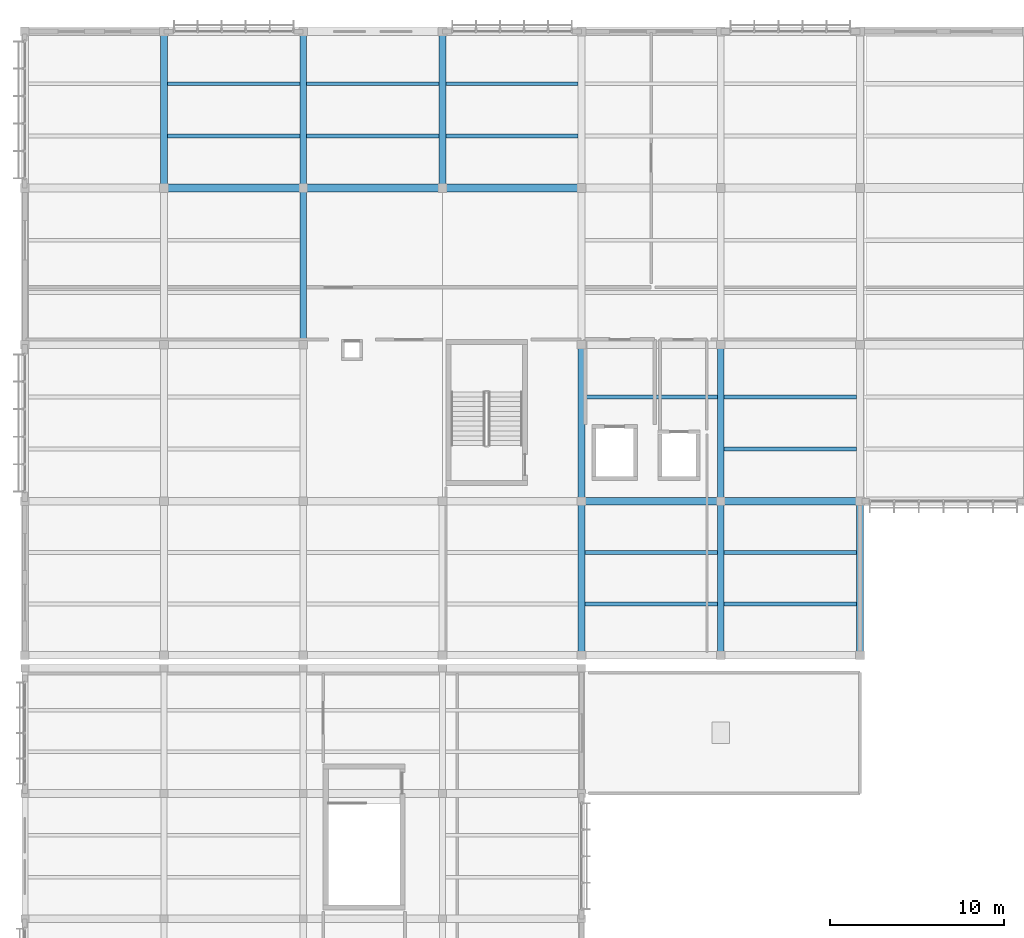
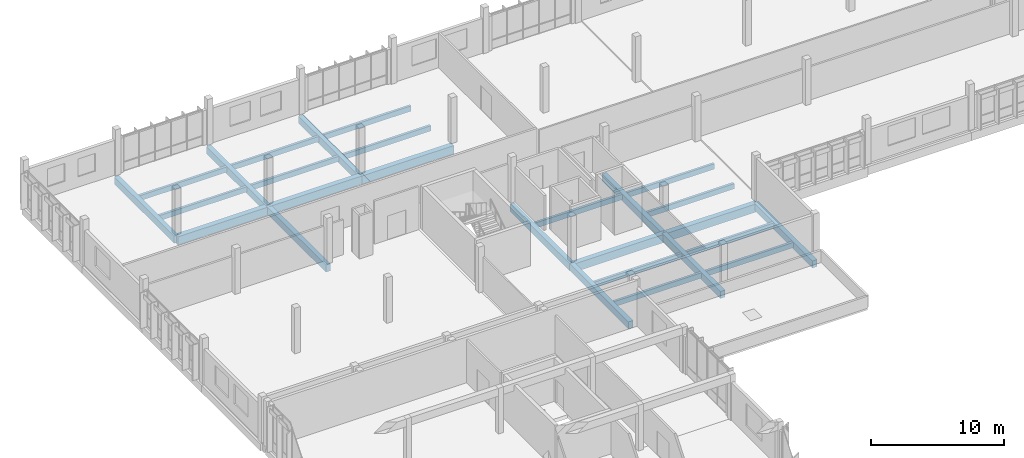
# One storey, part 38 of 107: 27 beams.
"""IFC4 building model written with IfcOpenShell, lengths in metres."""

from ifc_helpers import new_model, si_unit, direction, frame, origin, origin_2d, place, context, subcontext, project, spatial, rectangle, extrude, material, material_profile, profile_set, type_object, element, save


model = new_model("IFC4")

# Units and contexts
model_context = context("Model", 3, precision=1e-05, world=origin(), true_north=direction((0.0, 1.0)))
body_context = subcontext(model_context, "Body", "Model", "MODEL_VIEW")
ifc_project = project(units=[si_unit("LENGTHUNIT", "METRE"), si_unit("AREAUNIT", "SQUARE_METRE"), si_unit("VOLUMEUNIT", "CUBIC_METRE"), si_unit("PLANEANGLEUNIT", "RADIAN"), si_unit("MASSUNIT", "GRAM", prefix="KILO")], contexts=[model_context])

# Site, building, storey
site_placement = place(None, origin())
site = spatial("IfcSite", under=ifc_project, at=site_placement, CompositionType="ELEMENT")
building_placement = place(site_placement, origin())
building = spatial("IfcBuilding", under=site, at=building_placement, Name="Chiffa Square Polytechnic", CompositionType="ELEMENT")
storey_placement = place(building_placement, frame((0.0, 0.0, 13.800048828125)))
storey = spatial("IfcBuildingStorey", under=building, at=storey_placement, Name="L03", CompositionType="ELEMENT", Elevation=13.800048828125)

# Beams
ifc_material_1 = material(Name="Concrete C35/45", Category="concrete")
ifc_material_profile_1 = material_profile(ifc_material_1, rectangle(XDim=0.39990234375, YDim=0.64990234375, at=origin_2d()), Name="RC 400x650")
ifc_profile_set_1 = profile_set([ifc_material_profile_1], Name="Concrete C35/45")
beam_type_1 = type_object("IfcBeamType", Name="BM-RC-400X650", PredefinedType="BEAM", material=ifc_profile_set_1)
for number, where, z_axis, x_axis, name in (
    (1, (8.0, 121.800048828125, -0.5849609375), (0.0, 1.0, 0.0), (-1.0, 0.0, 0.0), "Primary floor girder BM-V5-L03-Y-0080-1218"),
    (2, (16.0, 112.800048828125, -0.5849609375), (0.0, 1.0, 0.0), (-1.0, 0.0, 0.0), "Primary floor girder BM-V5-L03-Y-0160-1128"),
    (3, (16.0, 121.800048828125, -0.5849609375), (0.0, 1.0, 0.0), (-1.0, 0.0, 0.0), "Primary floor girder BM-V5-L03-Y-0160-1218"),
    (4, (24.0, 121.800048828125, -0.5849609375), (0.0, 1.0, 0.0), (-1.0, 0.0, 0.0), "Primary floor girder BM-V5-L03-Y-0240-1218"),
):
    element("IfcBeam", number, at=place(storey_placement, frame(where, z_axis=z_axis, x_axis=x_axis)), inside=storey, type_object=beam_type_1, Name=name, PredefinedType="BEAM", context=body_context, shape_type="SweptSolid", body=[
        extrude(rectangle(XDim=0.39990234375, YDim=0.64990234375, at=origin_2d()), origin(), (0.0, 0.0, 1.0), 9.0),
    ])
beam_1_placement = place(storey_placement, frame((32.0, 94.949951171875, -0.5849609375), z_axis=(0.0, 1.0, 0.0), x_axis=(-1.0, 0.0, 0.0)))
element("IfcBeam", 5, at=beam_1_placement, inside=storey, type_object=beam_type_1, Name="Primary floor girder BM-V5-L03-Y-0320-0950", PredefinedType="BEAM", context=body_context, shape_type="SweptSolid", body=[
    extrude(rectangle(XDim=0.39990234375, YDim=0.64990234375, at=origin_2d()), origin(), (0.0, 0.0, 1.0), 8.85009765625),
])
beam_2_placement = place(storey_placement, frame((32.0, 103.800048828125, -0.5849609375), z_axis=(0.0, 1.0, 0.0), x_axis=(-1.0, 0.0, 0.0)))
element("IfcBeam", 6, at=beam_2_placement, inside=storey, type_object=beam_type_1, Name="Primary floor girder BM-V5-L03-Y-0320-1038", PredefinedType="BEAM", context=body_context, shape_type="SweptSolid", body=[
    extrude(rectangle(XDim=0.39990234375, YDim=0.64990234375, at=origin_2d()), origin(), (0.0, 0.0, 1.0), 9.0),
])
beam_3_placement = place(storey_placement, frame((40.0, 94.949951171875, -0.5849609375), z_axis=(0.0, 1.0, 0.0), x_axis=(-1.0, 0.0, 0.0)))
element("IfcBeam", 7, at=beam_3_placement, inside=storey, type_object=beam_type_1, Name="Primary floor girder BM-V5-L03-Y-0400-0950", PredefinedType="BEAM", context=body_context, shape_type="SweptSolid", body=[
    extrude(rectangle(XDim=0.39990234375, YDim=0.64990234375, at=origin_2d()), origin(), (0.0, 0.0, 1.0), 8.85009765625),
])
beam_4_placement = place(storey_placement, frame((40.0, 103.800048828125, -0.5849609375), z_axis=(0.0, 1.0, 0.0), x_axis=(-1.0, 0.0, 0.0)))
element("IfcBeam", 8, at=beam_4_placement, inside=storey, type_object=beam_type_1, Name="Primary floor girder BM-V5-L03-Y-0400-1038", PredefinedType="BEAM", context=body_context, shape_type="SweptSolid", body=[
    extrude(rectangle(XDim=0.39990234375, YDim=0.64990234375, at=origin_2d()), origin(), (0.0, 0.0, 1.0), 9.0),
])
beam_5_placement = place(storey_placement, frame((48.0, 94.949951171875, -0.5849609375), z_axis=(0.0, 1.0, 0.0), x_axis=(-1.0, 0.0, 0.0)))
element("IfcBeam", 9, at=beam_5_placement, inside=storey, type_object=beam_type_1, Name="Primary floor girder BM-V5-L03-Y-0480-0950", PredefinedType="BEAM", context=body_context, shape_type="SweptSolid", body=[
    extrude(rectangle(XDim=0.39990234375, YDim=0.64990234375, at=origin_2d()), origin(), (0.0, 0.0, 1.0), 8.85009765625),
])
ifc_material_profile_2 = material_profile(ifc_material_1, rectangle(XDim=0.449951171875, YDim=0.75, at=origin_2d()), Name="RC 450x750")
ifc_profile_set_2 = profile_set([ifc_material_profile_2], Name="Concrete C35/45")
beam_type_2 = type_object("IfcBeamType", Name="BM-RC-450X750", PredefinedType="BEAM", material=ifc_profile_set_2)
for number, where, z_axis, x_axis, name in (
    (10, (32.0, 103.800048828125, -0.635009765625), (1.0, 0.0, 0.0), (0.0, 1.0, 0.0), "Primary floor girder BM-V5-L03-X-0320-1038"),
    (11, (40.0, 103.800048828125, -0.635009765625), (1.0, 0.0, 0.0), (0.0, 1.0, 0.0), "Primary floor girder BM-V5-L03-X-0400-1038"),
    (12, (8.0, 121.800048828125, -0.635009765625), (1.0, 0.0, 0.0), (0.0, 1.0, 0.0), "Primary floor girder BM-V5-L03-X-0080-1218"),
    (13, (16.0, 121.800048828125, -0.635009765625), (1.0, 0.0, 0.0), (0.0, 1.0, 0.0), "Primary floor girder BM-V5-L03-X-0160-1218"),
    (14, (24.0, 121.800048828125, -0.635009765625), (1.0, 0.0, 0.0), (0.0, 1.0, 0.0), "Primary floor girder BM-V5-L03-X-0240-1218"),
):
    element("IfcBeam", number, at=place(storey_placement, frame(where, z_axis=z_axis, x_axis=x_axis)), inside=storey, type_object=beam_type_2, Name=name, PredefinedType="BEAM", context=body_context, shape_type="SweptSolid", body=[
        extrude(rectangle(XDim=0.449951171875, YDim=0.75, at=origin_2d()), origin(), (0.0, 0.0, 1.0), 8.0),
    ])
ifc_material_2 = material(Name="Glulam GL28h", Category="wood")
ifc_material_profile_3 = material_profile(ifc_material_2, rectangle(XDim=0.219970703125, YDim=0.47998046875, at=origin_2d()), Name="GL28h 220x480")
ifc_profile_set_3 = profile_set([ifc_material_profile_3], Name="Glulam GL28h")
beam_type_3 = type_object("IfcBeamType", Name="JST-GL-220X480", PredefinedType="JOIST", material=ifc_profile_set_3)
for number, where, z_axis, x_axis, name in (
    (15, (8.197998046875, 124.800048828125, -0.5), (1.0, 0.0, 0.0), (0.0, 1.0, 0.0), "Secondary floor joist JST-V5-L03-0080-1248"),
    (16, (8.197998046875, 127.800048828125, -0.5), (1.0, 0.0, 0.0), (0.0, 1.0, 0.0), "Secondary floor joist JST-V5-L03-0080-1278"),
    (17, (16.197998046875, 124.800048828125, -0.5), (1.0, 0.0, 0.0), (0.0, 1.0, 0.0), "Secondary floor joist JST-V5-L03-0160-1248"),
    (18, (16.197998046875, 127.800048828125, -0.5), (1.0, 0.0, 0.0), (0.0, 1.0, 0.0), "Secondary floor joist JST-V5-L03-0160-1278"),
    (19, (24.197998046875, 124.800048828125, -0.5), (1.0, 0.0, 0.0), (0.0, 1.0, 0.0), "Secondary floor joist JST-V5-L03-0240-1248"),
    (20, (24.197998046875, 127.800048828125, -0.5), (1.0, 0.0, 0.0), (0.0, 1.0, 0.0), "Secondary floor joist JST-V5-L03-0240-1278"),
    (21, (32.197998046875, 97.89990234375, -0.5), (1.0, 0.0, 0.0), (0.0, 1.0, 0.0), "Secondary floor joist JST-V5-L03-0320-0979"),
    (22, (32.197998046875, 100.85009765625, -0.5), (1.0, 0.0, 0.0), (0.0, 1.0, 0.0), "Secondary floor joist JST-V5-L03-0320-1008"),
    (23, (32.197998046875, 109.800048828125, -0.5), (1.0, 0.0, 0.0), (0.0, 1.0, 0.0), "Secondary floor joist JST-V5-L03-0320-1098"),
    (24, (40.197998046875, 97.89990234375, -0.5), (1.0, 0.0, 0.0), (0.0, 1.0, 0.0), "Secondary floor joist JST-V5-L03-0400-0979"),
    (25, (40.197998046875, 100.85009765625, -0.5), (1.0, 0.0, 0.0), (0.0, 1.0, 0.0), "Secondary floor joist JST-V5-L03-0400-1008"),
    (26, (40.197998046875, 106.800048828125, -0.5), (1.0, 0.0, 0.0), (0.0, 1.0, 0.0), "Secondary floor joist JST-V5-L03-0400-1068"),
    (27, (40.197998046875, 109.800048828125, -0.5), (1.0, 0.0, 0.0), (0.0, 1.0, 0.0), "Secondary floor joist JST-V5-L03-0400-1098"),
):
    element("IfcBeam", number, at=place(storey_placement, frame(where, z_axis=z_axis, x_axis=x_axis)), inside=storey, type_object=beam_type_3, Name=name, PredefinedType="JOIST", context=body_context, shape_type="SweptSolid", body=[
        extrude(rectangle(XDim=0.219970703125, YDim=0.47998046875, at=origin_2d()), origin(), (0.0, 0.0, 1.0), 7.60400390625),
    ])

save(model, "model.ifc")
